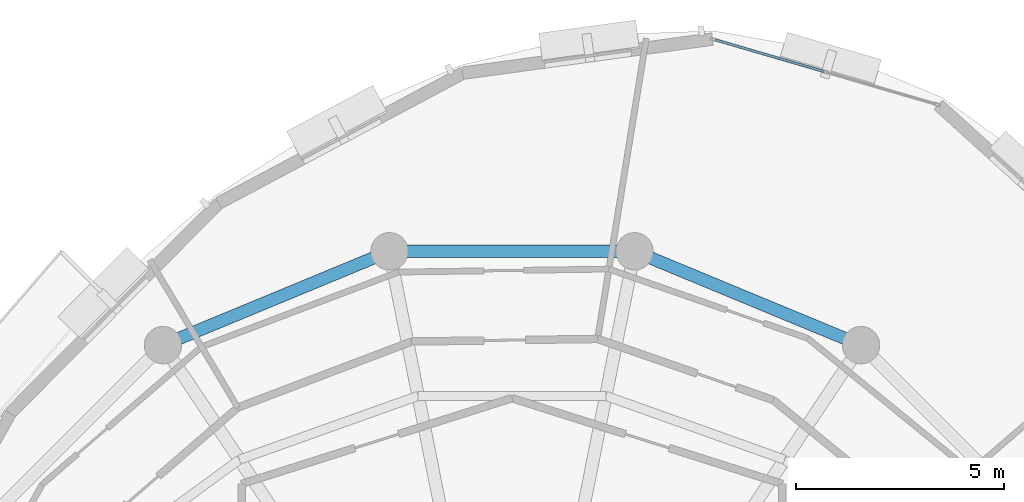
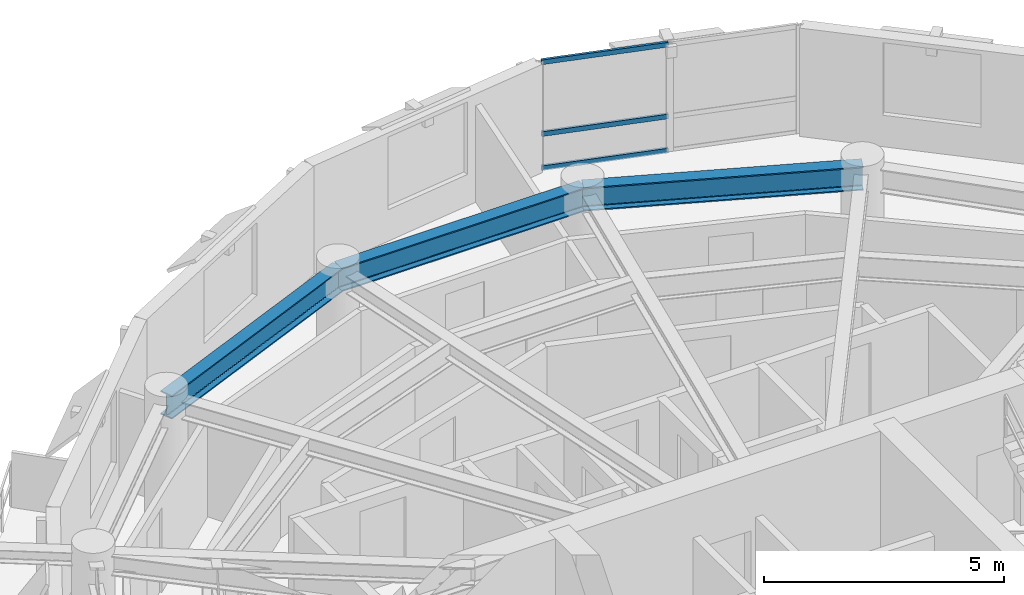
# One storey, part 4 of 11: 3 beams, 3 members, 1 element without a shape of its own.
"""IFC4 building model written with IfcOpenShell, lengths in metres."""

import ifcopenshell
import ifcopenshell.guid

model = None  # the IFC model being written
_history = None  # IfcOwnerHistory: only IFC2X3 demands one
_inside = {}  # id of a spatial element -> (the spatial element, [elements in it])
_under = {}  # id of a project, library or spatial element -> (it, [spatial elements below it])
_declared = {}  # id of a project -> (the project, [libraries it declares])
_typed = {}  # id of a type object -> (the type object, [elements of that type])
_made_of = {}  # id of a material, layer set ... -> (it, [elements and type objects made of it])


def new_model(schema):
    """Start an empty IFC model of exactly this schema.

    Asked for "IFC4X3", IfcOpenShell would pick the latest addendum, in which some entities
    have other attributes; the version numbers below select the first issue.
    IFC2X3 requires an IfcOwnerHistory on every rooted entity: one is made here for all.
    """
    global model, _history
    if schema == "IFC4X3":
        model = ifcopenshell.file(schema_version=(4, 3, 0, 0))
    else:
        model = ifcopenshell.file(schema=schema)
    _inside.clear()
    _under.clear()
    _declared.clear()
    _typed.clear()
    _made_of.clear()
    _history = None
    if model.schema == "IFC2X3":
        org = make("IfcOrganization", Name="unknown")
        user = make(
            "IfcPersonAndOrganization",
            ThePerson=make("IfcPerson", FamilyName="unknown"),
            TheOrganization=org,
        )
        app = make(
            "IfcApplication",
            ApplicationDeveloper=org,
            Version="unknown",
            ApplicationFullName="unknown",
            ApplicationIdentifier="unknown",
        )
        _history = make(
            "IfcOwnerHistory",
            OwningUser=user,
            OwningApplication=app,
            ChangeAction="ADDED",
            CreationDate=0,
        )
    return model


def make(cls, **values):
    """One entity of the class cls with the attributes given. An attribute that is None is left unset."""
    return model.create_entity(
        cls, **{name: value for name, value in values.items() if value is not None}
    )


def rooted(cls, **values):
    """An entity with a GlobalId (a new one), such as an element, a storey or a relation."""
    return make(cls, GlobalId=ifcopenshell.guid.new(), OwnerHistory=_history, **values)


def si_unit(unit_type, name, prefix=None):
    """IfcSIUnit, for example si_unit("LENGTHUNIT", "METRE", prefix="MILLI")."""
    return make("IfcSIUnit", UnitType=unit_type, Prefix=prefix, Name=name)


def assignment(units):
    """IfcUnitAssignment: the units of a project."""
    return None if units is None else make("IfcUnitAssignment", Units=units)


def point(xyz):
    """IfcCartesianPoint."""
    return None if xyz is None else make("IfcCartesianPoint", Coordinates=xyz)


def direction(xyz):
    """IfcDirection."""
    return None if xyz is None else make("IfcDirection", DirectionRatios=xyz)


def frame(location, z_axis=None, x_axis=None):
    """IfcAxis2Placement3D, a coordinate frame: its origin and axes. An axis left out is left unset."""
    return make(
        "IfcAxis2Placement3D",
        Location=point(location),
        Axis=direction(z_axis),
        RefDirection=direction(x_axis),
    )


def frame_2d(location, x_axis=None):
    """IfcAxis2Placement2D, a coordinate frame in the plane: its origin and x axis."""
    return make(
        "IfcAxis2Placement2D", Location=point(location), RefDirection=direction(x_axis)
    )


def origin():
    """The frame at (0, 0, 0) with its axes left unset."""
    return frame((0.0, 0.0, 0.0))


def origin_2d():
    """The frame at (0, 0) in the plane with its x axis left unset."""
    return frame_2d((0.0, 0.0))


def place(relative_to, where):
    """IfcLocalPlacement: puts the frame where relative to a parent placement (None: the world)."""
    return make(
        "IfcLocalPlacement", PlacementRelTo=relative_to, RelativePlacement=where
    )


def context(
    kind, dimensions, precision=None, world=None, true_north=None, identifier=None
):
    """IfcGeometricRepresentationContext, for example the 3D "Model" context."""
    return make(
        "IfcGeometricRepresentationContext",
        ContextIdentifier=identifier,
        ContextType=kind,
        CoordinateSpaceDimension=dimensions,
        Precision=precision,
        WorldCoordinateSystem=world,
        TrueNorth=true_north,
    )


def subcontext(parent, identifier, kind, view, scale=None):
    """IfcGeometricRepresentationSubContext, for example "Body" below "Model"."""
    return make(
        "IfcGeometricRepresentationSubContext",
        ContextIdentifier=identifier,
        ContextType=kind,
        ParentContext=parent,
        TargetScale=scale,
        TargetView=view,
    )


def project(units=None, contexts=None):
    """IfcProject with its units and contexts."""
    return rooted(
        "IfcProject",
        Name="project",
        RepresentationContexts=contexts,
        UnitsInContext=assignment(units),
    )


def spatial(cls, under=None, at=None, **own):
    """A site, building, storey or space (cls), placed at a placement, below another one or the project."""
    s = rooted(cls, ObjectPlacement=at, **own)
    if under is not None:
        _under.setdefault(under.id(), (under, []))[1].append(s)
    return s


def profile(cls, at=None, kind="AREA", **sizes):
    """A parametric profile (cls). Its sizes go by their IFC names, for example OverallWidth=200.0."""
    return make(cls, ProfileType=kind, Position=at, **sizes)


def hollow_rectangle(**sizes):
    """IfcRectangleHollowProfileDef."""
    return profile("IfcRectangleHollowProfileDef", **sizes)


def i_section(**sizes):
    """IfcIShapeProfileDef."""
    return profile("IfcIShapeProfileDef", **sizes)


def extrude(swept, where, along, depth):
    """IfcExtrudedAreaSolid: the profile swept, set in the frame where, extruded along a direction by depth."""
    return make(
        "IfcExtrudedAreaSolid",
        SweptArea=swept,
        Position=where,
        ExtrudedDirection=direction(along),
        Depth=depth,
    )


def shape(context_of_items, identifier, shape_type, items):
    """IfcShapeRepresentation: the items that make up one representation, for example the "Body"."""
    return make(
        "IfcShapeRepresentation",
        ContextOfItems=context_of_items,
        RepresentationIdentifier=identifier,
        RepresentationType=shape_type,
        Items=items,
    )


def material(Name=None, Category=None):
    """IfcMaterial."""
    return make("IfcMaterial", Name=Name, Category=Category)


def layer(
    of_material, thickness, ventilated=None, Name=None, Category=None, Priority=None
):
    """IfcMaterialLayer: one layer of a wall or slab, of a material (None: an air gap)."""
    return make(
        "IfcMaterialLayer",
        Material=of_material,
        LayerThickness=thickness,
        IsVentilated=ventilated,
        Name=Name,
        Category=Category,
        Priority=Priority,
    )


def layer_set(layers, Name=None):
    """IfcMaterialLayerSet."""
    return make("IfcMaterialLayerSet", MaterialLayers=layers, LayerSetName=Name)


def material_profile(
    of_material, cross_section, Name=None, Category=None, Priority=None
):
    """IfcMaterialProfile: a cross section and its material."""
    return make(
        "IfcMaterialProfile",
        Name=Name,
        Material=of_material,
        Profile=cross_section,
        Priority=Priority,
        Category=Category,
    )


def profile_set(profiles, Name=None, composite=None):
    """IfcMaterialProfileSet."""
    return make(
        "IfcMaterialProfileSet",
        Name=Name,
        MaterialProfiles=profiles,
        CompositeProfile=composite,
    )


def made_of(thing, what):
    """Note that an element or type object is made of a material, layer set ...; save() writes the relation."""
    if what is not None:
        _made_of.setdefault(what.id(), (what, []))[1].append(thing)
    return thing


def type_object(cls, material=None, **own):
    """A type object (cls), such as IfcWallType, which elements share."""
    return made_of(rooted(cls, **own), material)


def element(
    cls,
    number,
    at=None,
    inside=None,
    cuts=None,
    type_object=None,
    material=None,
    context=None,
    identifier="Body",
    shape_type=None,
    held_by="IfcProductDefinitionShape",
    body=None,
    shapes=None,
    **own,
):
    """One element of the class cls, such as IfcWall. Its Tag is "e" and its number.

    at: its placement. inside: the storey or other place that contains it. cuts: it is an
    opening in that element (IfcRelVoidsElement). A single representation is given by context,
    identifier, shape_type and body (its items); several are given by shapes. held_by: the class
    of the entity that holds the representations. save() writes the other relations.
    """
    e = rooted(cls, Tag="e%d" % number, ObjectPlacement=at, **own)
    if body is not None:
        shapes = [shape(context, identifier, shape_type, body)]
    if shapes is not None:
        e.Representation = make(held_by, Representations=shapes)
    if inside is not None:
        _inside.setdefault(inside.id(), (inside, []))[1].append(e)
    if cuts is not None:
        rooted(
            "IfcRelVoidsElement", RelatingBuildingElement=cuts, RelatedOpeningElement=e
        )
    if type_object is not None:
        _typed.setdefault(type_object.id(), (type_object, []))[1].append(e)
    return made_of(e, material)


def aggregate(whole, parts):
    """IfcRelAggregates: a whole, such as a stair, and the parts it consists of."""
    return rooted("IfcRelAggregates", RelatingObject=whole, RelatedObjects=parts)


def save(model, path):
    """Write the relations noted so far, then the file.

    IfcRelAggregates (storeys below a building ...), IfcRelContainedInSpatialStructure (elements
    in a storey), IfcRelDefinesByType, IfcRelAssociatesMaterial and IfcRelDeclares: one each for
    every whole, place, type object, material and project.
    """
    for whole, parts in _under.values():
        aggregate(whole, parts)
    for where, things in _inside.values():
        rooted(
            "IfcRelContainedInSpatialStructure",
            RelatedElements=things,
            RelatingStructure=where,
        )
    for kind, things in _typed.values():
        rooted("IfcRelDefinesByType", RelatedObjects=things, RelatingType=kind)
    for what, things in _made_of.values():
        rooted("IfcRelAssociatesMaterial", RelatedObjects=things, RelatingMaterial=what)
    for by, libraries in _declared.values():
        rooted("IfcRelDeclares", RelatingContext=by, RelatedDefinitions=libraries)
    model.write(path)


model = new_model("IFC4")

# Units and contexts
model_context = context("Model", 3, precision=1e-05, world=origin(), true_north=direction((0.0, 1.0)))
body_context = subcontext(model_context, "Body", "Model", "MODEL_VIEW")
ifc_project = project(units=[si_unit("LENGTHUNIT", "METRE"), si_unit("AREAUNIT", "SQUARE_METRE"), si_unit("VOLUMEUNIT", "CUBIC_METRE"), si_unit("PLANEANGLEUNIT", "RADIAN"), si_unit("MASSUNIT", "GRAM", prefix="KILO"), si_unit("THERMODYNAMICTEMPERATUREUNIT", "KELVIN"), si_unit("POWERUNIT", "WATT")], contexts=[model_context])

# Site, building, storey
site_placement = place(None, origin())
site = spatial("IfcSite", under=ifc_project, at=site_placement, CompositionType="ELEMENT")
building_placement = place(site_placement, origin())
building = spatial("IfcBuilding", under=site, at=building_placement, Name="Ocrelia Relay Tower", CompositionType="ELEMENT")
storey_placement = place(building_placement, frame((0.0, 0.0, 280.800048828125)))
storey = spatial("IfcBuildingStorey", under=building, at=storey_placement, Name="L70", CompositionType="ELEMENT", Elevation=280.800048828125)

# Beams
ifc_material_1 = material(Name="Steel S355", Category="steel")
ifc_material_profile_1 = material_profile(ifc_material_1, i_section(OverallWidth=0.300048828125, OverallDepth=0.60009765625, WebThickness=0.015380859375, FlangeThickness=0.030029296875, FilletRadius=0.027099609375, at=origin_2d()), Name="HEB 600")
ifc_profile_set_1 = profile_set([ifc_material_profile_1], Name="Steel S355")
beam_type = type_object("IfcBeamType", Name="BM-HEB600", PredefinedType="BEAM", material=ifc_profile_set_1)
beam_1_placement = place(storey_placement, frame((42.38916015625, 38.55517578125, 3.079833984375), z_axis=(-0.923884009374, 0.382672624084, 0.0), x_axis=(-0.382672624084, -0.923884009374, 0.0)))
element("IfcBeam", 1, at=beam_1_placement, inside=storey, type_object=beam_type, Name="L70 Perimeter Spandrel Beam S03", PredefinedType="BEAM", context=body_context, shape_type="SweptSolid", body=[
    extrude(i_section(OverallWidth=0.300048828125, OverallDepth=0.60009765625, WebThickness=0.015380859375, FlangeThickness=0.030029296875, FilletRadius=0.027099609375, at=origin_2d()), origin(), (0.0, 0.0, 1.0), 5.891845703125),
])
beam_2_placement = place(storey_placement, frame((36.94580078125, 40.809814453125, 3.079833984375), z_axis=(-1.0, 0.0, 0.0), x_axis=(0.0, -1.0, 0.0)))
element("IfcBeam", 2, at=beam_2_placement, inside=storey, type_object=beam_type, Name="L70 Perimeter Spandrel Beam S04", PredefinedType="BEAM", context=body_context, shape_type="SweptSolid", body=[
    extrude(i_section(OverallWidth=0.300048828125, OverallDepth=0.60009765625, WebThickness=0.015380859375, FlangeThickness=0.030029296875, FilletRadius=0.027099609375, at=origin_2d()), origin(), (0.0, 0.0, 1.0), 5.8916015625),
])
beam_3_placement = place(storey_placement, frame((31.05419921875, 40.809814453125, 3.079833984375), z_axis=(-0.923884009374, -0.382672624084, 0.0), x_axis=(0.382672624084, -0.923884009374, 0.0)))
element("IfcBeam", 3, at=beam_3_placement, inside=storey, type_object=beam_type, Name="L70 Perimeter Spandrel Beam S05", PredefinedType="BEAM", context=body_context, shape_type="SweptSolid", body=[
    extrude(i_section(OverallWidth=0.300048828125, OverallDepth=0.60009765625, WebThickness=0.015380859375, FlangeThickness=0.030029296875, FilletRadius=0.027099609375, at=origin_2d()), origin(), (0.0, 0.0, 1.0), 5.891845703125),
])

# Curtain wall, members
ifc_material_2 = material(Name="Aluminium and solar-control low-E glass", Category="aluminium")
ifc_layer = layer(ifc_material_2, 0.179931640625, Name="Aluminium and solar-control low-E glass")
ifc_layer_set = layer_set([ifc_layer], Name="Aluminium and solar-control low-E glass")
curtain_wall_type = type_object("IfcCurtainWallType", Name="CW-SYS-Z4-EXEC", PredefinedType="NOTDEFINED", material=ifc_layer_set)
curtain_wall_placement = place(storey_placement, origin())
curtain_wall = element("IfcCurtainWall", 4, at=curtain_wall_placement, inside=storey, type_object=curtain_wall_type, Name="L70 Elliptical Tower Curtain Wall Bay 01", PredefinedType="NOTDEFINED")
ifc_material_3 = material(Name="Anodised bronze aluminium", Category="aluminium")
ifc_material_profile_2 = material_profile(ifc_material_3, hollow_rectangle(XDim=0.06005859375, YDim=0.1201171875, WallThickness=0.0048828125, at=origin_2d()), Name="CW-TRN-120x60")
ifc_profile_set_2 = profile_set([ifc_material_profile_2], Name="Anodised bronze aluminium")
member_type = type_object("IfcMemberType", Name="CW-SYS-Z4-EXEC-TRN", PredefinedType="USERDEFINED", material=ifc_profile_set_2)
member_1_placement = place(storey_placement, frame((41.50146484375, 45.130859375, 0.030029296875), z_axis=(-0.960058123415, 0.279800642718, 0.0), x_axis=(-0.279800642718, -0.960058123415, 0.0)))
member_1 = element("IfcMember", 5, at=member_1_placement, type_object=member_type, Name="CW-Z4 transom 2.1", ObjectType="TRANSOM", PredefinedType="USERDEFINED", context=body_context, shape_type="SweptSolid", body=[
    extrude(hollow_rectangle(XDim=0.06005859375, YDim=0.1201171875, WallThickness=0.0048828125, at=origin_2d()), origin(), (0.0, 0.0, 1.0), 2.7275390625),
])
member_2_placement = place(storey_placement, frame((41.50146484375, 45.130859375, 0.89990234375), z_axis=(-0.960058123415, 0.279800642718, 0.0), x_axis=(-0.279800642718, -0.960058123415, 0.0)))
member_2 = element("IfcMember", 6, at=member_2_placement, type_object=member_type, Name="CW-Z4 transom 2.2", ObjectType="TRANSOM", PredefinedType="USERDEFINED", context=body_context, shape_type="SweptSolid", body=[
    extrude(hollow_rectangle(XDim=0.06005859375, YDim=0.1201171875, WallThickness=0.0048828125, at=origin_2d()), origin(), (0.0, 0.0, 1.0), 2.7275390625),
])
member_3_placement = place(storey_placement, frame((41.50146484375, 45.130859375, 2.72998046875), z_axis=(-0.960058123415, 0.279800642718, 0.0), x_axis=(-0.279800642718, -0.960058123415, 0.0)))
member_3 = element("IfcMember", 7, at=member_3_placement, type_object=member_type, Name="CW-Z4 transom 2.3", ObjectType="TRANSOM", PredefinedType="USERDEFINED", context=body_context, shape_type="SweptSolid", body=[
    extrude(hollow_rectangle(XDim=0.06005859375, YDim=0.1201171875, WallThickness=0.0048828125, at=origin_2d()), origin(), (0.0, 0.0, 1.0), 2.7275390625),
])
aggregate(curtain_wall, [member_1, member_2, member_3])

save(model, "model.ifc")
